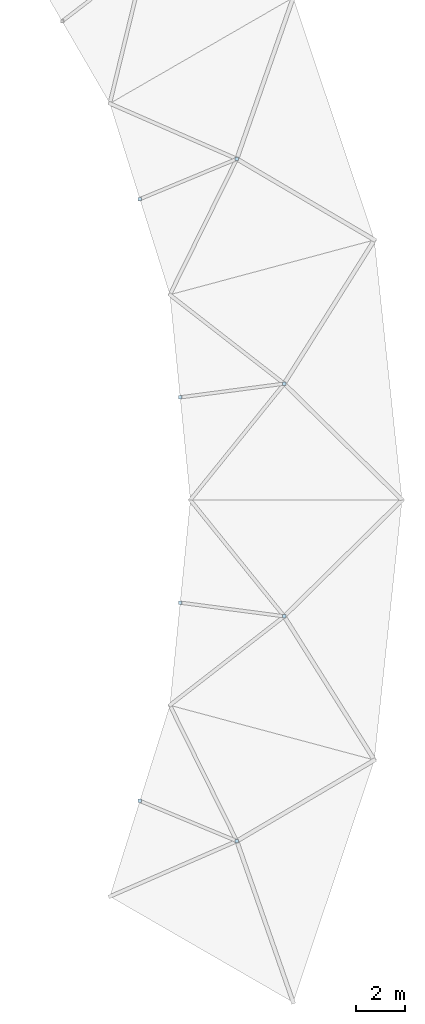
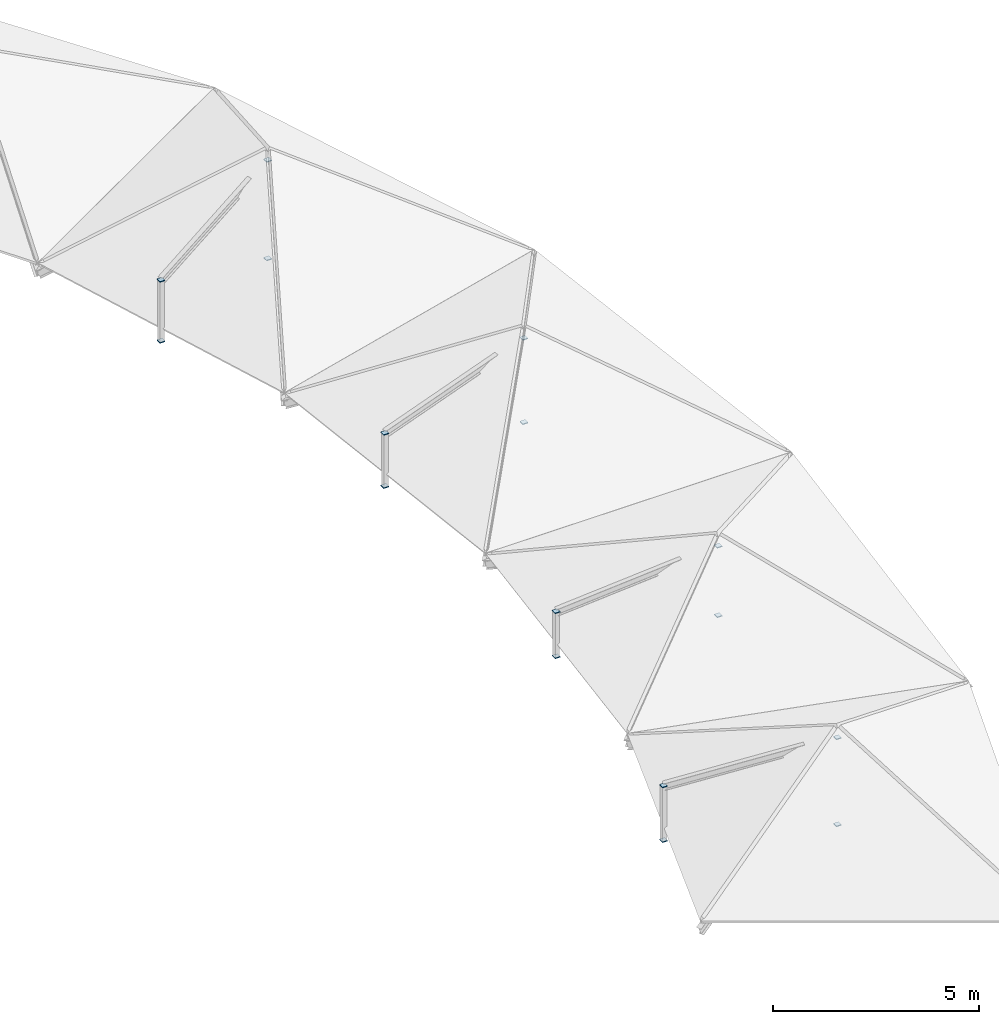
# One storey, part 22 of 28: 16 plates.
"""IFC4 building model written with IfcOpenShell, lengths in metres."""

from ifc_helpers import new_model, si_unit, direction, frame, origin, origin_2d, place, context, subcontext, project, spatial, rectangle, extrude, material, layer, layer_set, type_object, element, save


model = new_model("IFC4")

# Units and contexts
model_context = context("Model", 3, precision=1e-05, world=origin(), true_north=direction((0.0, 1.0)))
body_context = subcontext(model_context, "Body", "Model", "MODEL_VIEW")
ifc_project = project(units=[si_unit("LENGTHUNIT", "METRE"), si_unit("AREAUNIT", "SQUARE_METRE"), si_unit("VOLUMEUNIT", "CUBIC_METRE"), si_unit("PLANEANGLEUNIT", "RADIAN"), si_unit("MASSUNIT", "GRAM", prefix="KILO")], contexts=[model_context])

# Site, building, storey
site_placement = place(None, origin())
site = spatial("IfcSite", under=ifc_project, at=site_placement, CompositionType="ELEMENT")
building_placement = place(site_placement, origin())
building = spatial("IfcBuilding", under=site, at=building_placement, Name="Karori Crest Natural Sciences Institute", CompositionType="ELEMENT")
storey_placement = place(building_placement, frame((0.0, 0.0, 34.300048828125)))
storey = spatial("IfcBuildingStorey", under=building, at=storey_placement, Name="L08", CompositionType="ELEMENT", Elevation=34.300048828125)

# Plates
ifc_material = material(Name="Structural steel AS/NZS 3679.1 Grade 350", Category="steel")
ifc_layer = layer(ifc_material, 0.02490234375, Name="Structural steel AS/NZS 3679.1 Grade 350")
ifc_layer_set = layer_set([ifc_layer], Name="Structural steel AS/NZS 3679.1 Grade 350")
plate_type = type_object("IfcPlateType", Name="PLT-06-EL", PredefinedType="SHEET", material=ifc_layer_set)
for number, where, z_axis, x_axis, name in (
    (1, (94.611083984375, 54.62353515625, -0.27001953125), (0.0, 0.0, 1.0), (1.0, 0.0, 0.0), "Hollow section end cap EP-0057"),
    (2, (94.611083984375, 54.62353515625, 2.22998046875), (0.0, 0.0, 1.0), (1.0, 0.0, 0.0), "Hollow section end cap EP-0058"),
    (3, (90.38427734375, 54.06689453125, -0.347900390625), (0.0, 0.0, 1.0), (1.0, 0.0, 0.0), "Hollow section end cap EP-0059"),
    (4, (90.38427734375, 54.06689453125, 1.22998046875), (0.0, 0.0, 1.0), (1.0, 0.0, 0.0), "Hollow section end cap EP-0060"),
    (5, (92.6884765625, 63.748291015625, -0.27001953125), (0.0, 0.0, 1.0), (1.0, 0.0, 0.0), "Hollow section end cap EP-0061"),
    (6, (92.6884765625, 63.748291015625, 2.653076171875), (0.0, 0.0, 1.0), (1.0, 0.0, 0.0), "Hollow section end cap EP-0062"),
    (7, (88.749755859375, 62.116943359375, -0.347900390625), (0.0, 0.0, 1.0), (1.0, 0.0, 0.0), "Hollow section end cap EP-0063"),
    (8, (88.749755859375, 62.116943359375, 1.4609375), (0.0, 0.0, 1.0), (1.0, 0.0, 0.0), "Hollow section end cap EP-0064"),
    (9, (92.6884765625, 36.051513671875, -0.27001953125), (0.0, 0.0, 1.0), (1.0, 0.0, 0.0), "Hollow section end cap EP-0145"),
    (10, (92.6884765625, 36.051513671875, 2.31103515625), (0.0, 0.0, 1.0), (1.0, 0.0, 0.0), "Hollow section end cap EP-0146"),
    (11, (88.749755859375, 37.68310546875, -0.347900390625), (0.0, 0.0, 1.0), (1.0, 0.0, 0.0), "Hollow section end cap EP-0147"),
    (12, (88.749755859375, 37.68310546875, 1.27392578125), (0.0, 0.0, 1.0), (1.0, 0.0, 0.0), "Hollow section end cap EP-0148"),
    (13, (94.611083984375, 45.176513671875, -0.27001953125), (0.0, 0.0, 1.0), (1.0, 0.0, 0.0), "Hollow section end cap EP-0149"),
    (14, (94.611083984375, 45.176513671875, 1.7919921875), (0.0, 0.0, 1.0), (1.0, 0.0, 0.0), "Hollow section end cap EP-0150"),
    (15, (90.38427734375, 45.73291015625, -0.347900390625), (0.0, 0.0, 1.0), (1.0, 0.0, 0.0), "Hollow section end cap EP-0151"),
    (16, (90.38427734375, 45.73291015625, 0.990966796875), (0.0, 0.0, 1.0), (1.0, 0.0, 0.0), "Hollow section end cap EP-0152"),
):
    element("IfcPlate", number, at=place(storey_placement, frame(where, z_axis=z_axis, x_axis=x_axis)), inside=storey, type_object=plate_type, Name=name, PredefinedType="SHEET", context=body_context, shape_type="SweptSolid", body=[
        extrude(rectangle(XDim=0.14501953125, YDim=0.14501953125, at=origin_2d()), origin(), (0.0, 0.0, 1.0), 0.02490234375),
    ])

save(model, "model.ifc")
